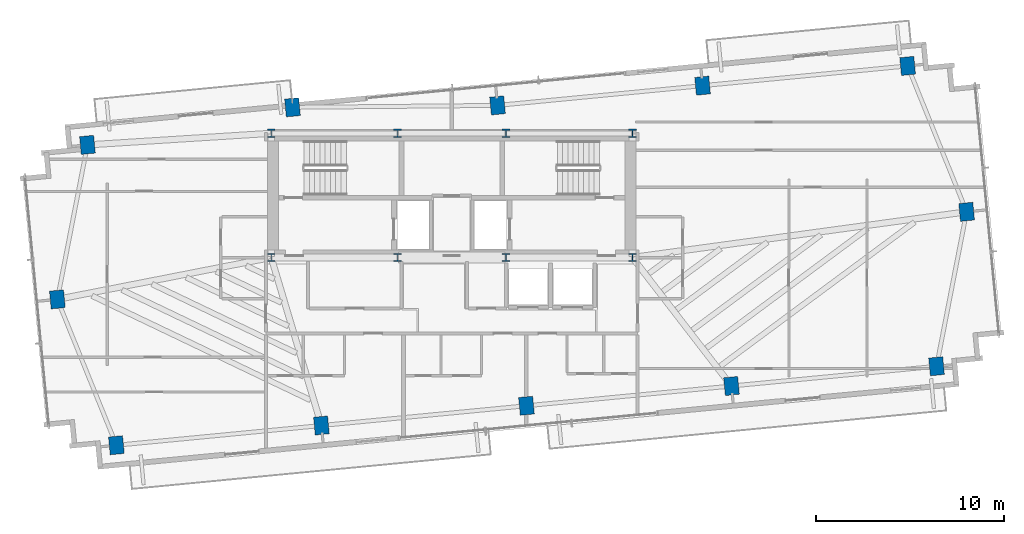
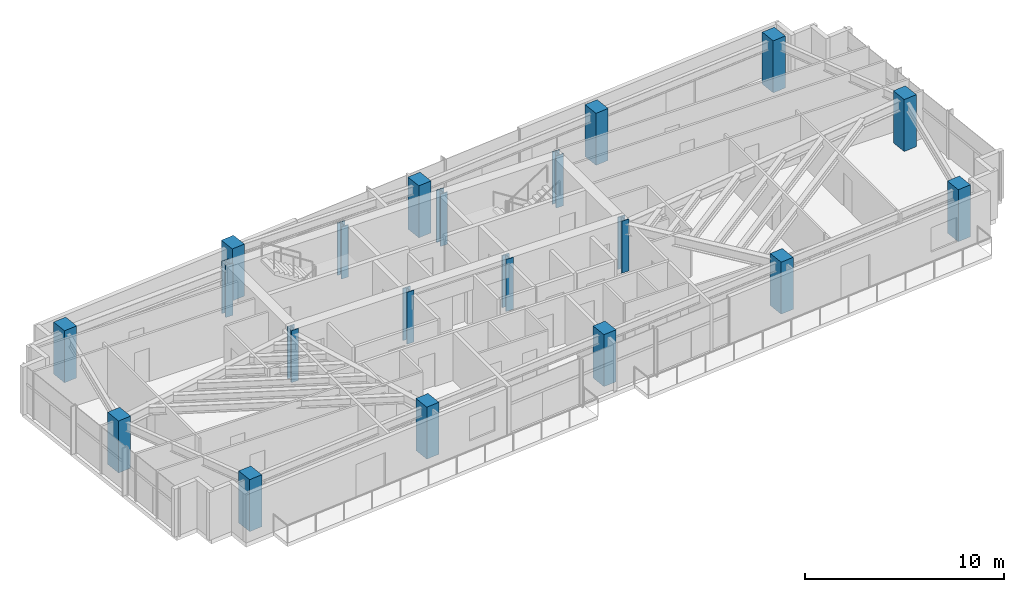
# One storey, part 1 of 18: 20 columns.
"""IFC4 building model written with IfcOpenShell, lengths in metres."""

from ifc_helpers import new_model, si_unit, direction, frame, origin, origin_2d, place, context, subcontext, project, spatial, rectangle, i_section, extrude, source, transform, mapped, material, material_profile, profile_set, type_object, type_shapes, element, save


model = new_model("IFC4")

# Units and contexts
model_context = context("Model", 3, precision=1e-05, world=origin(), true_north=direction((0.0, 1.0)))
body_context = subcontext(model_context, "Body", "Model", "MODEL_VIEW")
ifc_project = project(units=[si_unit("LENGTHUNIT", "METRE"), si_unit("AREAUNIT", "SQUARE_METRE"), si_unit("VOLUMEUNIT", "CUBIC_METRE"), si_unit("PLANEANGLEUNIT", "RADIAN"), si_unit("MASSUNIT", "GRAM", prefix="KILO")], contexts=[model_context])

# Site, building, storey
site_placement = place(None, origin())
site = spatial("IfcSite", under=ifc_project, at=site_placement, CompositionType="ELEMENT")
building_placement = place(site_placement, origin())
building = spatial("IfcBuilding", under=site, at=building_placement, Name="Astriad Promenade Condominiums", CompositionType="ELEMENT")
storey_placement = place(building_placement, frame((0.0, 0.0, 201.800048828125)))
storey = spatial("IfcBuildingStorey", under=building, at=storey_placement, Name="L58", CompositionType="ELEMENT", Elevation=201.800048828125)

# Columns
ifc_material_1 = material(Name="Steel ASTM A992 Grade 50", Category="steel")
ifc_material_profile_1 = material_profile(ifc_material_1, i_section(OverallWidth=0.41552734375, OverallDepth=0.445556640625, WebThickness=0.0390625, FlangeThickness=0.062744140625, FilletRadius=0.017822265625, at=origin_2d()), Name="W14X342")
ifc_profile_set_1 = profile_set([ifc_material_profile_1], Name="Steel ASTM A992 Grade 50")
column_type_1 = type_object("IfcColumnType", Name="STEEL CORE PILASTER W14X342", PredefinedType="PILASTER", material=ifc_profile_set_1)
shared_shape_1 = source(origin(), body_context, "Body", "SweptSolid", [
    extrude(i_section(OverallWidth=0.41552734375, OverallDepth=0.445556640625, WebThickness=0.0390625, FlangeThickness=0.062744140625, FilletRadius=0.017822265625, at=origin_2d()), origin(), (0.0, 0.0, 1.0), 3.196044921875),
])
type_shapes(column_type_1, [shared_shape_1])
for number, where, z_axis, x_axis, name in (
    (1, (26.39990234375, 17.39990234375, 0.001953125), (0.0, 0.0, 1.0), (1.0, 0.0, 0.0), "Core Pilaster Column CP1 (L58)"),
    (2, (33.1201171875, 17.39990234375, 0.001953125), (0.0, 0.0, 1.0), (1.0, 0.0, 0.0), "Core Pilaster Column CP2 (L58)"),
    (3, (38.8798828125, 17.39990234375, 0.001953125), (0.0, 0.0, 1.0), (1.0, 0.0, 0.0), "Core Pilaster Column CP3 (L58)"),
    (4, (45.60009765625, 17.39990234375, 0.001953125), (0.0, 0.0, 1.0), (1.0, 0.0, 0.0), "Core Pilaster Column CP4 (L58)"),
    (5, (26.39990234375, 24.0, 0.001953125), (0.0, 0.0, 1.0), (1.0, 0.0, 0.0), "Core Pilaster Column CP5 (L58)"),
    (6, (33.1201171875, 24.0, 0.001953125), (0.0, 0.0, 1.0), (1.0, 0.0, 0.0), "Core Pilaster Column CP6 (L58)"),
    (7, (38.8798828125, 24.0, 0.001953125), (0.0, 0.0, 1.0), (1.0, 0.0, 0.0), "Core Pilaster Column CP7 (L58)"),
    (8, (45.60009765625, 24.0, 0.001953125), (0.0, 0.0, 1.0), (1.0, 0.0, 0.0), "Core Pilaster Column CP8 (L58)"),
):
    element("IfcColumn", number, at=place(storey_placement, frame(where, z_axis=z_axis, x_axis=x_axis)), inside=storey, type_object=column_type_1, Name=name, PredefinedType="PILASTER", context=body_context, shape_type="MappedRepresentation", body=[
        mapped(shared_shape_1, transform((0.0, 0.0, 0.0), scale=1.0)),
    ])
ifc_material_2 = material(Name="Concrete C50/60", Category="concrete")
ifc_material_profile_2 = material_profile(ifc_material_2, rectangle(XDim=0.75, YDim=0.949951171875, at=origin_2d()), Name="RC-COL-950X750")
ifc_profile_set_2 = profile_set([ifc_material_profile_2], Name="Concrete C50/60")
column_type_2 = type_object("IfcColumnType", Name="CONCRETE TOWER COLUMN 950X750", PredefinedType="COLUMN", material=ifc_profile_set_2)
shared_shape_2 = source(origin(), body_context, "Body", "SweptSolid", [
    extrude(rectangle(XDim=0.75, YDim=0.949951171875, at=origin_2d()), origin(), (0.0, 0.0, 1.0), 3.196044921875),
])
type_shapes(column_type_2, [shared_shape_2])
for number, where, z_axis, x_axis, name in (
    (9, (18.16943359375, 7.41796875, 0.001953125), (0.0, 0.0, 1.0), (0.995396198367, 0.09584575252, 0.0), "Perimeter Column PC01 (L58)"),
    (10, (29.069091796875, 8.46728515625, 0.001953125), (0.0, 0.0, 1.0), (0.995396198367, 0.09584575252, 0.0), "Perimeter Column PC02 (L58)"),
    (11, (39.96875, 9.516845703125, 0.001953125), (0.0, 0.0, 1.0), (0.995396198367, 0.09584575252, 0.0), "Perimeter Column PC03 (L58)"),
    (12, (50.868408203125, 10.56640625, 0.001953125), (0.0, 0.0, 1.0), (0.995396198367, 0.09584575252, 0.0), "Perimeter Column PC04 (L58)"),
    (13, (61.767822265625, 11.615966796875, 0.001953125), (0.0, 0.0, 1.0), (0.995396198367, 0.09584575252, 0.0), "Perimeter Column PC05 (L58)"),
    (14, (16.632080078125, 23.384033203125, 0.001953125), (0.0, 0.0, 1.0), (0.995396198367, 0.09584575252, 0.0), "Perimeter Column PC06 (L58)"),
    (15, (27.53173828125, 25.3798828125, 0.001953125), (0.0, 0.0, 1.0), (0.995396198367, 0.09584575252, 0.0), "Perimeter Column PC07 (L58)"),
    (16, (38.431396484375, 25.483154296875, 0.001953125), (0.0, 0.0, 1.0), (0.995396198367, 0.09584575252, 0.0), "Perimeter Column PC08 (L58)"),
    (17, (49.330810546875, 26.53271484375, 0.001953125), (0.0, 0.0, 1.0), (0.995396198367, 0.09584575252, 0.0), "Perimeter Column PC09 (L58)"),
    (18, (60.23046875, 27.58203125, 0.001953125), (0.0, 0.0, 1.0), (0.995396198367, 0.09584575252, 0.0), "Perimeter Column PC10 (L58)"),
    (19, (15.03173828125, 15.1728515625, 0.001953125), (0.0, 0.0, 1.0), (0.995396198367, 0.09584575252, 0.0), "Perimeter Column PC11 (L58)"),
    (20, (63.3681640625, 19.8271484375, 0.001953125), (0.0, 0.0, 1.0), (0.995396198367, 0.09584575252, 0.0), "Perimeter Column PC12 (L58)"),
):
    element("IfcColumn", number, at=place(storey_placement, frame(where, z_axis=z_axis, x_axis=x_axis)), inside=storey, type_object=column_type_2, Name=name, PredefinedType="COLUMN", context=body_context, shape_type="MappedRepresentation", body=[
        mapped(shared_shape_2, transform((0.0, 0.0, 0.0), scale=1.0)),
    ])

save(model, "model.ifc")
